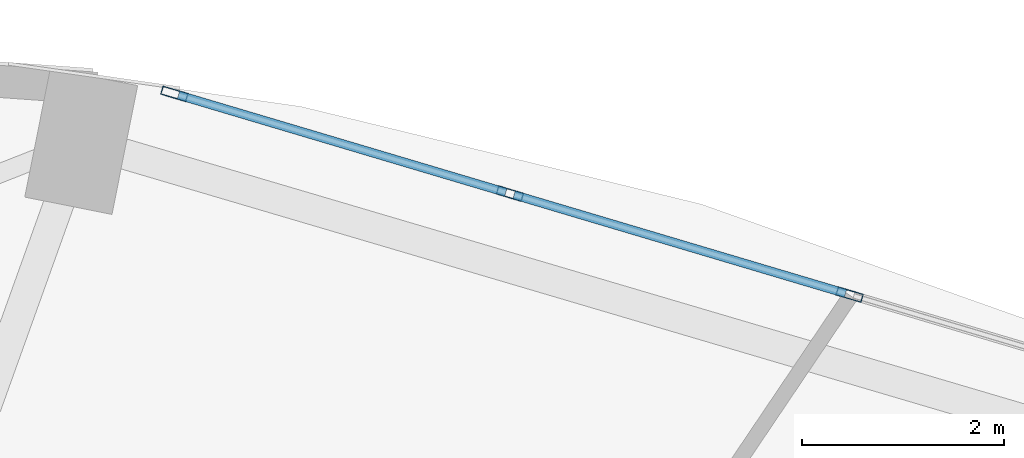
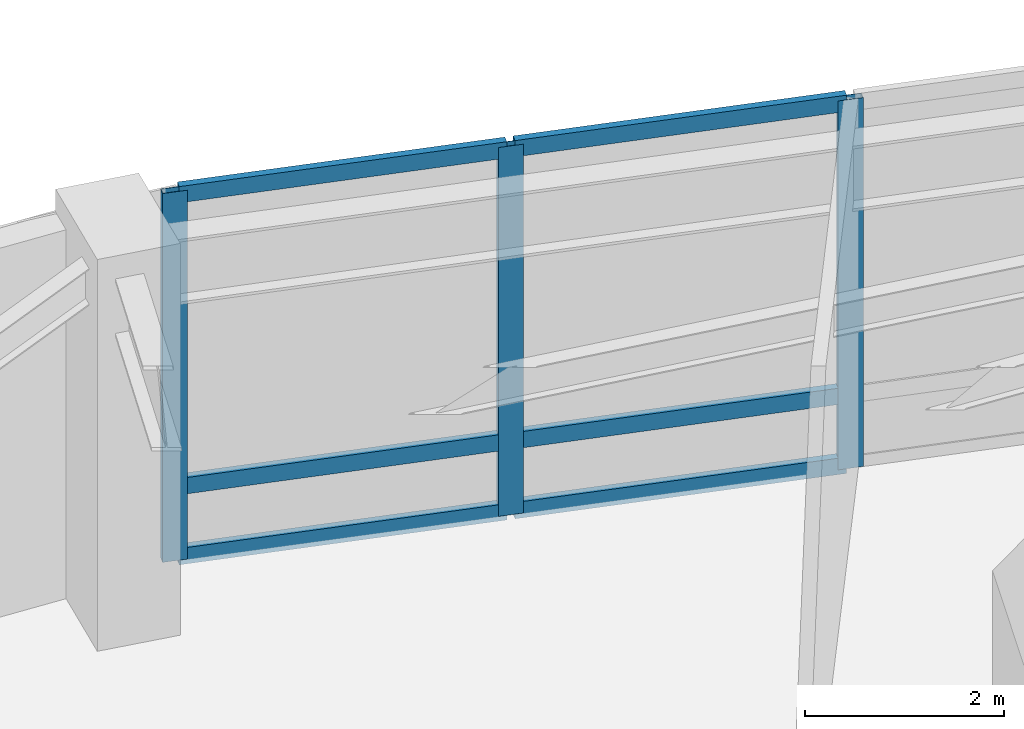
# One storey, part 18 of 24: 9 members, 1 element without a shape of its own.
"""IFC4 building model written with IfcOpenShell, lengths in metres."""

from ifc_helpers import new_model, si_unit, direction, frame, origin, origin_2d, place, context, subcontext, project, spatial, hollow_rectangle, extrude, material, layer, layer_set, material_profile, profile_set, type_object, element, aggregate, save


model = new_model("IFC4")

# Units and contexts
model_context = context("Model", 3, precision=1e-05, world=origin(), true_north=direction((0.0, 1.0)))
body_context = subcontext(model_context, "Body", "Model", "MODEL_VIEW")
ifc_project = project(units=[si_unit("LENGTHUNIT", "METRE"), si_unit("AREAUNIT", "SQUARE_METRE"), si_unit("VOLUMEUNIT", "CUBIC_METRE"), si_unit("PLANEANGLEUNIT", "RADIAN"), si_unit("MASSUNIT", "GRAM", prefix="KILO")], contexts=[model_context])

# Site, building, storey
site_placement = place(None, origin())
site = spatial("IfcSite", under=ifc_project, at=site_placement, CompositionType="ELEMENT")
building_placement = place(site_placement, origin())
building = spatial("IfcBuilding", under=site, at=building_placement, Name="Lazwardi Medical Tower", CompositionType="ELEMENT")
storey_placement = place(building_placement, frame((0.0, 0.0, 15.60009765625)))
storey = spatial("IfcBuildingStorey", under=building, at=storey_placement, Name="L03", CompositionType="ELEMENT", Elevation=15.60009765625)

# Curtain wall, members
ifc_material_1 = material(Name="Anodised bronze aluminium and solar control glazing", Category="aluminium")
ifc_layer = layer(ifc_material_1, 0.219970703125)
ifc_layer_set = layer_set([ifc_layer], Name="Anodised bronze aluminium and solar control glazing")
curtain_wall_type = type_object("IfcCurtainWallType", Name="CW-SYS-01", PredefinedType="NOTDEFINED", material=ifc_layer_set)
curtain_wall_placement = place(storey_placement, origin())
curtain_wall = element("IfcCurtainWall", 1, at=curtain_wall_placement, inside=storey, type_object=curtain_wall_type, Name="L03 Unitised bronze curtain wall CW-01", PredefinedType="NOTDEFINED")
ifc_material_2 = material(Name="Anodised bronze aluminium", Category="aluminium")
ifc_material_profile_1 = material_profile(ifc_material_2, hollow_rectangle(XDim=0.0849609375, YDim=0.260009765625, WallThickness=0.0048828125, at=origin_2d()), Name="ALU-MULLION 260x85x5")
ifc_profile_set_1 = profile_set([ifc_material_profile_1], Name="Anodised bronze aluminium")
member_type_1 = type_object("IfcMemberType", Name="CW-MUL-02", PredefinedType="MULLION", material=ifc_profile_set_1)
member_1_placement = place(storey_placement, frame((49.71240234375, 50.754150390625, 0.0), z_axis=(0.0, 0.0, 1.0), x_axis=(-0.285047195531, -0.958513482597, 0.0)))
member_1 = element("IfcMember", 2, at=member_1_placement, type_object=member_type_1, Name="CW-01 mullion 2", PredefinedType="MULLION", context=body_context, shape_type="SweptSolid", body=[
    extrude(hollow_rectangle(XDim=0.0849609375, YDim=0.260009765625, WallThickness=0.0048828125, at=origin_2d()), origin(), (0.0, 0.0, 1.0), 4.52001953125),
])
member_2_placement = place(storey_placement, frame((46.350341796875, 51.754150390625, 0.0), z_axis=(0.0, 0.0, 1.0), x_axis=(-0.285047195531, -0.958513482597, 0.0)))
member_2 = element("IfcMember", 3, at=member_2_placement, type_object=member_type_1, Name="CW-01 mullion 3", PredefinedType="MULLION", context=body_context, shape_type="SweptSolid", body=[
    extrude(hollow_rectangle(XDim=0.0849609375, YDim=0.260009765625, WallThickness=0.0048828125, at=origin_2d()), origin(), (0.0, 0.0, 1.0), 4.52001953125),
])
member_3_placement = place(storey_placement, frame((43.02880859375, 52.74169921875, 0.0), z_axis=(0.0, 0.0, 1.0), x_axis=(-0.285047195531, -0.958513482597, 0.0)))
member_3 = element("IfcMember", 4, at=member_3_placement, type_object=member_type_1, Name="CW-01 mullion 4", PredefinedType="MULLION", context=body_context, shape_type="SweptSolid", body=[
    extrude(hollow_rectangle(XDim=0.0849609375, YDim=0.260009765625, WallThickness=0.0048828125, at=origin_2d()), origin(), (0.0, 0.0, 1.0), 4.52001953125),
])
ifc_material_profile_2 = material_profile(ifc_material_2, hollow_rectangle(XDim=0.0849609375, YDim=0.199951171875, WallThickness=0.00439453125, at=origin_2d()), Name="ALU-TRANSOM 200x85x4.5")
ifc_profile_set_2 = profile_set([ifc_material_profile_2], Name="Anodised bronze aluminium")
member_type_2 = type_object("IfcMemberType", Name="CW-TRN-02", PredefinedType="USERDEFINED", material=ifc_profile_set_2)
member_4_placement = place(storey_placement, frame((49.671875, 50.766357421875, 0.04248046875), z_axis=(-0.958518450342, 0.285030490219, 0.0), x_axis=(-0.285030490219, -0.958518450342, 0.0)))
member_4 = element("IfcMember", 5, at=member_4_placement, type_object=member_type_2, Name="CW-01 transom 2.1", ObjectType="TRANSOM", PredefinedType="USERDEFINED", context=body_context, shape_type="SweptSolid", body=[
    extrude(hollow_rectangle(XDim=0.0849609375, YDim=0.199951171875, WallThickness=0.00439453125, at=origin_2d()), origin(), (0.0, 0.0, 1.0), 3.4228515625),
])
member_5_placement = place(storey_placement, frame((49.671875, 50.766357421875, 0.89990234375), z_axis=(-0.958518450342, 0.285030490219, 0.0), x_axis=(-0.285030490219, -0.958518450342, 0.0)))
member_5 = element("IfcMember", 6, at=member_5_placement, type_object=member_type_2, Name="CW-01 transom 2.2", ObjectType="TRANSOM", PredefinedType="USERDEFINED", context=body_context, shape_type="SweptSolid", body=[
    extrude(hollow_rectangle(XDim=0.0849609375, YDim=0.199951171875, WallThickness=0.00439453125, at=origin_2d()), origin(), (0.0, 0.0, 1.0), 3.4228515625),
])
member_6_placement = place(storey_placement, frame((49.671875, 50.766357421875, 4.477294921875), z_axis=(-0.958518450342, 0.285030490219, 0.0), x_axis=(-0.285030490219, -0.958518450342, 0.0)))
member_6 = element("IfcMember", 7, at=member_6_placement, type_object=member_type_2, Name="CW-01 transom 2.3", ObjectType="TRANSOM", PredefinedType="USERDEFINED", context=body_context, shape_type="SweptSolid", body=[
    extrude(hollow_rectangle(XDim=0.0849609375, YDim=0.199951171875, WallThickness=0.00439453125, at=origin_2d()), origin(), (0.0, 0.0, 1.0), 3.4228515625),
])
member_7_placement = place(storey_placement, frame((46.3095703125, 51.76611328125, 0.04248046875), z_axis=(-0.958505424522, 0.285074290603, 0.0), x_axis=(-0.285074290603, -0.958505424522, 0.0)))
member_7 = element("IfcMember", 8, at=member_7_placement, type_object=member_type_2, Name="CW-01 transom 3.1", ObjectType="TRANSOM", PredefinedType="USERDEFINED", context=body_context, shape_type="SweptSolid", body=[
    extrude(hollow_rectangle(XDim=0.0849609375, YDim=0.199951171875, WallThickness=0.00439453125, at=origin_2d()), origin(), (0.0, 0.0, 1.0), 3.38037109375),
])
member_8_placement = place(storey_placement, frame((46.3095703125, 51.76611328125, 0.89990234375), z_axis=(-0.958505424522, 0.285074290603, 0.0), x_axis=(-0.285074290603, -0.958505424522, 0.0)))
member_8 = element("IfcMember", 9, at=member_8_placement, type_object=member_type_2, Name="CW-01 transom 3.2", ObjectType="TRANSOM", PredefinedType="USERDEFINED", context=body_context, shape_type="SweptSolid", body=[
    extrude(hollow_rectangle(XDim=0.0849609375, YDim=0.199951171875, WallThickness=0.00439453125, at=origin_2d()), origin(), (0.0, 0.0, 1.0), 3.38037109375),
])
member_9_placement = place(storey_placement, frame((46.3095703125, 51.76611328125, 4.477294921875), z_axis=(-0.958505424522, 0.285074290603, 0.0), x_axis=(-0.285074290603, -0.958505424522, 0.0)))
member_9 = element("IfcMember", 10, at=member_9_placement, type_object=member_type_2, Name="CW-01 transom 3.3", ObjectType="TRANSOM", PredefinedType="USERDEFINED", context=body_context, shape_type="SweptSolid", body=[
    extrude(hollow_rectangle(XDim=0.0849609375, YDim=0.199951171875, WallThickness=0.00439453125, at=origin_2d()), origin(), (0.0, 0.0, 1.0), 3.38037109375),
])
aggregate(curtain_wall, [member_1, member_2, member_3, member_4, member_5, member_6, member_7, member_8, member_9])

save(model, "model.ifc")
